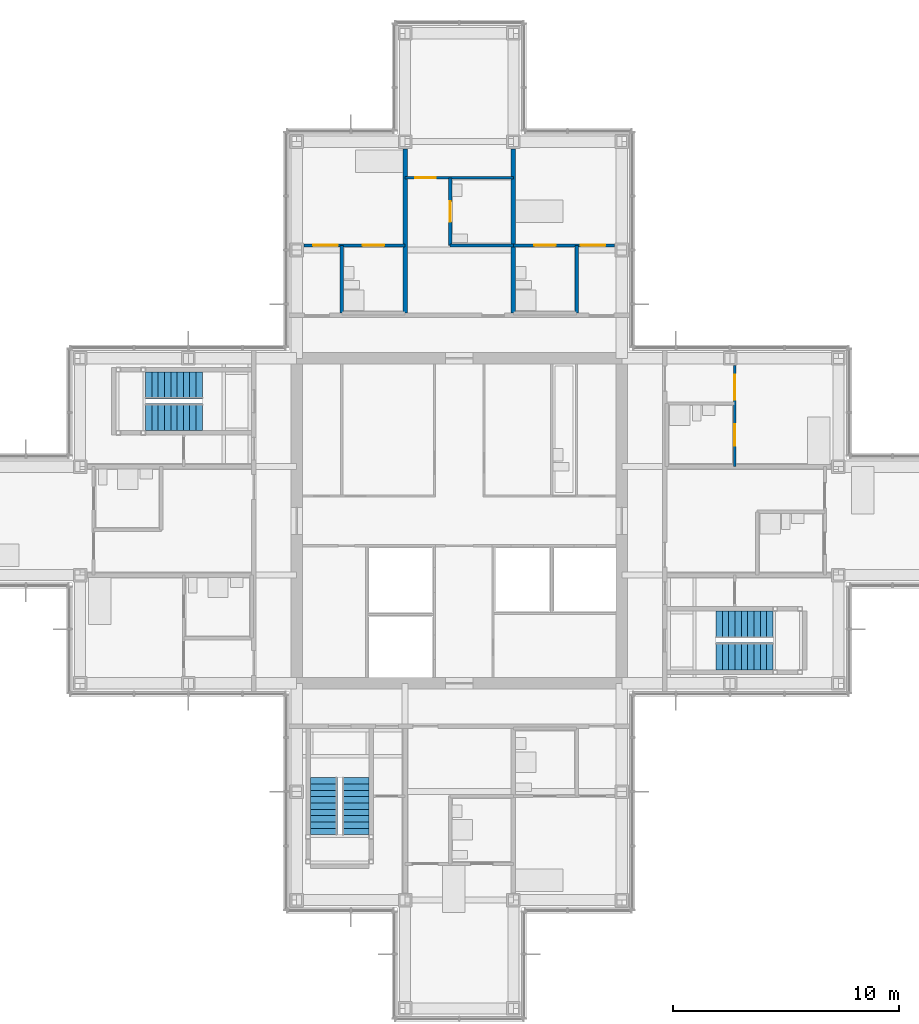
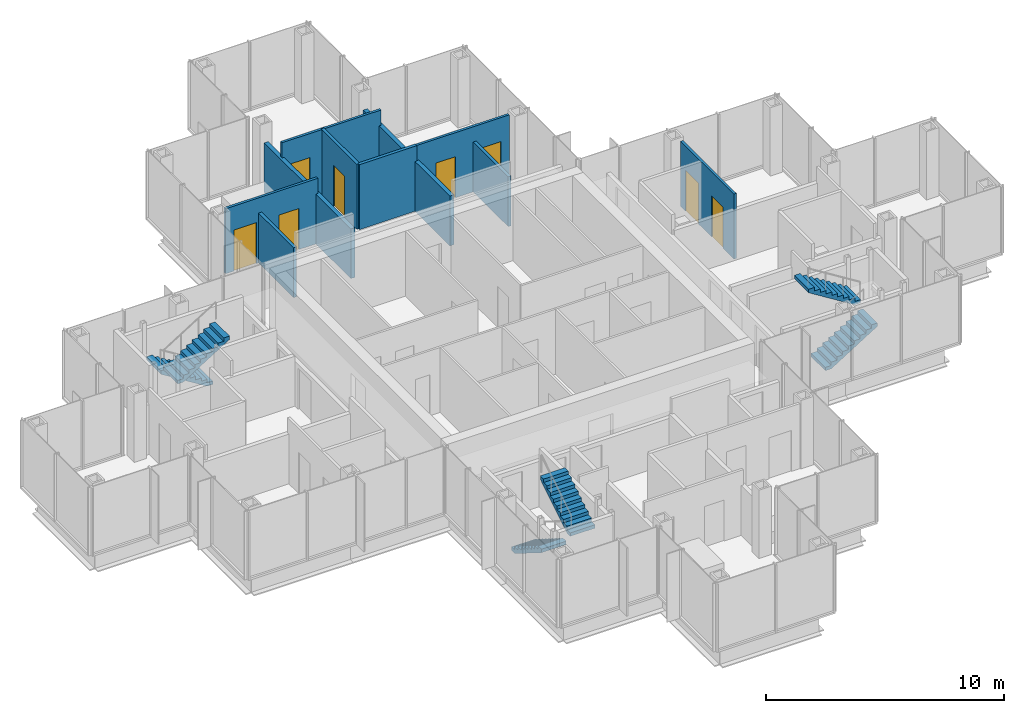
# One storey, part 14 of 17: 10 walls, 8 doors, 6 stair flights, 8 openings, 3 elements without a shape of their own.
"""IFC4 building model written with IfcOpenShell, lengths in metres."""

from ifc_helpers import new_model, si_unit, direction, frame, frame_2d, origin, place, context, subcontext, project, spatial, polyline, rectangle, outline, extrude, material, layer, layer_set, type_object, element, fill, aggregate, save


model = new_model("IFC4")

# Units and contexts
model_context = context("Model", 3, precision=1e-05, world=origin(), true_north=direction((0.0, 1.0)))
body_context = subcontext(model_context, "Body", "Model", "MODEL_VIEW")
ifc_project = project(units=[si_unit("LENGTHUNIT", "METRE"), si_unit("AREAUNIT", "SQUARE_METRE"), si_unit("VOLUMEUNIT", "CUBIC_METRE"), si_unit("PLANEANGLEUNIT", "RADIAN"), si_unit("MASSUNIT", "GRAM", prefix="KILO")], contexts=[model_context])

# Site, building, storey
site_placement = place(None, origin())
site = spatial("IfcSite", under=ifc_project, at=site_placement, CompositionType="ELEMENT")
building_placement = place(site_placement, origin())
building = spatial("IfcBuilding", under=site, at=building_placement, Name="Kvirike Care Tower", CompositionType="ELEMENT")
storey_placement = place(building_placement, frame((0.0, 0.0, 183.0)))
storey = spatial("IfcBuildingStorey", under=building, at=storey_placement, Name="L50", CompositionType="ELEMENT", Elevation=183.0)

# Wall
ifc_material_1 = material(Name="Moisture-resistant board partition", Category="gypsum")
ifc_layer_1 = layer(ifc_material_1, 0.14990234375)
ifc_layer_set_1 = layer_set([ifc_layer_1], Name="BATHROOM WALL 150")
wall_type_1 = type_object("IfcWallType", Name="BATHROOM WALL 150", PredefinedType="PARTITIONING", material=ifc_layer_set_1)
wall_1_placement = place(storey_placement, frame((26.800048828125, 48.199951171875, 0.0), z_axis=(0.0, 0.0, 1.0), x_axis=(0.0, -1.0, 0.0)))
element("IfcWall", 1, at=wall_1_placement, inside=storey, type_object=wall_type_1, Name="Bathroom Wall 150 L50", PredefinedType="PARTITIONING", context=body_context, shape_type="SweptSolid", body=[
    extrude(rectangle(XDim=3.0, YDim=0.14990234375, at=frame_2d((1.5, 0.0))), origin(), (0.0, 0.0, 1.0), 2.550048828125),
])

# Wall, opening, door
wall_2_placement = place(storey_placement, frame((21.199951171875, 51.199951171875, 0.0), z_axis=(0.0, 0.0, 1.0), x_axis=(0.0, -1.0, 0.0)))
wall_2 = element("IfcWall", 2, at=wall_2_placement, inside=storey, type_object=wall_type_1, Name="Bathroom Wall 150 L50", PredefinedType="PARTITIONING", context=body_context, shape_type="SweptSolid", body=[
    extrude(rectangle(XDim=3.0, YDim=0.14990234375, at=frame_2d((1.5, 0.0))), origin(), (0.0, 0.0, 1.0), 3.330078125),
])
opening_1_placement = place(wall_2_placement, frame((1.050048828125, 0.0, 0.0)))
opening_1 = element("IfcOpeningElement", 3, at=opening_1_placement, cuts=wall_2, Name="Opening 50-021", PredefinedType="OPENING", context=body_context, shape_type="SweptSolid", body=[
    extrude(rectangle(XDim=0.89990234375, YDim=2.10009765625, at=frame_2d((0.449951171875, 1.050048828125))), frame((0.0, 0.08544921875, 0.0), z_axis=(0.0, -1.0, 0.0), x_axis=(1.0, 0.0, 0.0)), (0.0, 0.0, 1.0), 0.1708984375),
])
ifc_material_2 = material(Name="Timber door set", Category="wood")
door_type_1 = type_object("IfcDoorType", Name="BATHROOM DOOR 900", OperationType="SINGLE_SWING_RIGHT", PredefinedType="DOOR", material=ifc_material_2)
door_1_placement = place(opening_1_placement, origin())
door_1 = element("IfcDoor", 4, at=door_1_placement, inside=storey, type_object=door_type_1, Name="Staff WC door", OperationType="SINGLE_SWING_LEFT", OverallHeight=2.10009765625, OverallWidth=0.89990234375, PredefinedType="DOOR", context=body_context, shape_type="SweptSolid", body=[
    extrude(rectangle(XDim=0.89990234375, YDim=2.10009765625, at=frame_2d((0.449951171875, 1.050048828125))), frame((0.0, 0.02197265625, 0.0), z_axis=(0.0, -1.0, 0.0), x_axis=(1.0, 0.0, 0.0)), (0.0, 0.0, 1.0), 0.0439453125),
])
fill(opening_1, door_1)

# Walls
wall_3_placement = place(storey_placement, frame((24.0, 48.199951171875, 0.0), z_axis=(0.0, 0.0, 1.0), x_axis=(-1.0, 0.0, 0.0)))
element("IfcWall", 5, at=wall_3_placement, inside=storey, type_object=wall_type_1, Name="Bathroom Wall 150 L50", PredefinedType="PARTITIONING", context=body_context, shape_type="SweptSolid", body=[
    extrude(rectangle(XDim=2.800048828125, YDim=0.14990234375, at=frame_2d((1.39990234375, 0.0))), origin(), (0.0, 0.0, 1.0), 3.330078125),
])
wall_4_placement = place(storey_placement, frame((16.39990234375, 48.199951171875, 0.0), z_axis=(0.0, 0.0, 1.0), x_axis=(0.0, -1.0, 0.0)))
element("IfcWall", 6, at=wall_4_placement, inside=storey, type_object=wall_type_1, Name="Bathroom Wall 150 L50", PredefinedType="PARTITIONING", context=body_context, shape_type="SweptSolid", body=[
    extrude(rectangle(XDim=3.0, YDim=0.14990234375, at=frame_2d((1.5, 0.0))), origin(), (0.0, 0.0, 1.0), 2.550048828125),
])

# Wall, openings, doors
ifc_material_3 = material(Name="Plasterboard partition", Category="gypsum")
ifc_layer_2 = layer(ifc_material_3, 0.1201171875)
ifc_layer_set_2 = layer_set([ifc_layer_2], Name="PARTITION 120")
wall_type_2 = type_object("IfcWallType", Name="PARTITION 120", PredefinedType="PARTITIONING", material=ifc_layer_set_2)
wall_5_placement = place(storey_placement, frame((28.47998046875, 48.199951171875, 0.0), z_axis=(0.0, 0.0, 1.0), x_axis=(-1.0, 0.0, 0.0)))
wall_5 = element("IfcWall", 7, at=wall_5_placement, inside=storey, type_object=wall_type_2, Name="Partition 120 L50", PredefinedType="PARTITIONING", context=body_context, shape_type="SweptSolid", body=[
    extrude(rectangle(XDim=4.47998046875, YDim=0.1201171875, at=frame_2d((2.239990234375, 0.0))), origin(), (0.0, 0.0, 1.0), 3.330078125),
])
opening_2_placement = place(wall_5_placement, frame((0.405029296875, 0.0, 0.0)))
opening_2 = element("IfcOpeningElement", 8, at=opening_2_placement, cuts=wall_5, Name="Opening 50-019", PredefinedType="OPENING", context=body_context, shape_type="SweptSolid", body=[
    extrude(rectangle(XDim=1.10009765625, YDim=2.10009765625, at=frame_2d((0.550048828125, 1.050048828125))), frame((0.0, 0.070556640625, 0.0), z_axis=(0.0, -1.0, 0.0), x_axis=(1.0, 0.0, 0.0)), (0.0, 0.0, 1.0), 0.14111328125),
])
opening_3_placement = place(wall_5_placement, frame((2.60498046875, 0.0, 0.0)))
opening_3 = element("IfcOpeningElement", 9, at=opening_3_placement, cuts=wall_5, Name="Opening 50-020", PredefinedType="OPENING", context=body_context, shape_type="SweptSolid", body=[
    extrude(rectangle(XDim=0.949951171875, YDim=2.10009765625, at=frame_2d((0.47509765625, 1.050048828125))), frame((0.0, 0.070556640625, 0.0), z_axis=(0.0, -1.0, 0.0), x_axis=(1.0, 0.0, 0.0)), (0.0, 0.0, 1.0), 0.14111328125),
])
ifc_material_4 = material(Name="Timber door set", Category="wood")
door_type_2 = type_object("IfcDoorType", Name="BEDROOM DOOR 1100", OperationType="SINGLE_SWING_LEFT", PredefinedType="DOOR", material=ifc_material_4)
door_2_placement = place(opening_2_placement, origin())
door_2 = element("IfcDoor", 10, at=door_2_placement, inside=storey, type_object=door_type_2, Name="Memory care bedroom door", OperationType="SINGLE_SWING_LEFT", OverallHeight=2.10009765625, OverallWidth=1.10009765625, PredefinedType="DOOR", context=body_context, shape_type="SweptSolid", body=[
    extrude(rectangle(XDim=1.10009765625, YDim=2.10009765625, at=frame_2d((0.550048828125, 1.050048828125))), frame((0.0, 0.02197265625, 0.0), z_axis=(0.0, -1.0, 0.0), x_axis=(1.0, 0.0, 0.0)), (0.0, 0.0, 1.0), 0.0439453125),
])
fill(opening_2, door_2)
ifc_material_5 = material(Name="Timber door set", Category="wood")
door_type_3 = type_object("IfcDoorType", Name="EN-SUITE SLIDING DOOR 950", OperationType="SLIDING_TO_LEFT", PredefinedType="DOOR", material=ifc_material_5)
door_3_placement = place(opening_3_placement, origin())
door_3 = element("IfcDoor", 11, at=door_3_placement, inside=storey, type_object=door_type_3, Name="En-suite door", OperationType="SLIDING_TO_LEFT", OverallHeight=2.10009765625, OverallWidth=0.949951171875, PredefinedType="DOOR", context=body_context, shape_type="SweptSolid", body=[
    extrude(rectangle(XDim=0.949951171875, YDim=2.10009765625, at=frame_2d((0.47509765625, 1.050048828125))), frame((0.0, 0.02197265625, 0.0), z_axis=(0.0, -1.0, 0.0), x_axis=(1.0, 0.0, 0.0)), (0.0, 0.0, 1.0), 0.0439453125),
])
fill(opening_3, door_3)

# Wall, opening, door
wall_6_placement = place(storey_placement, frame((24.0, 51.199951171875, 0.0), z_axis=(0.0, 0.0, 1.0), x_axis=(-1.0, 0.0, 0.0)))
wall_6 = element("IfcWall", 12, at=wall_6_placement, inside=storey, type_object=wall_type_2, Name="Partition 120 L50", PredefinedType="PARTITIONING", context=body_context, shape_type="SweptSolid", body=[
    extrude(rectangle(XDim=4.800048828125, YDim=0.1201171875, at=frame_2d((2.39990234375, 0.0))), origin(), (0.0, 0.0, 1.0), 3.330078125),
])
opening_4_placement = place(wall_6_placement, frame((3.449951171875, 0.0, 0.0)))
opening_4 = element("IfcOpeningElement", 13, at=opening_4_placement, cuts=wall_6, Name="Opening 50-022", PredefinedType="OPENING", context=body_context, shape_type="SweptSolid", body=[
    extrude(rectangle(XDim=0.89990234375, YDim=2.10009765625, at=frame_2d((0.449951171875, 1.050048828125))), frame((0.0, 0.070556640625, 0.0), z_axis=(0.0, -1.0, 0.0), x_axis=(1.0, 0.0, 0.0)), (0.0, 0.0, 1.0), 0.14111328125),
])
ifc_material_6 = material(Name="Timber door set", Category="wood")
door_type_4 = type_object("IfcDoorType", Name="INTERNAL DOOR 900", OperationType="SINGLE_SWING_LEFT", PredefinedType="DOOR", material=ifc_material_6)
door_4_placement = place(opening_4_placement, origin())
door_4 = element("IfcDoor", 14, at=door_4_placement, inside=storey, type_object=door_type_4, Name="Sensory garden room door", OperationType="SINGLE_SWING_LEFT", OverallHeight=2.10009765625, OverallWidth=0.89990234375, PredefinedType="DOOR", context=body_context, shape_type="SweptSolid", body=[
    extrude(rectangle(XDim=0.89990234375, YDim=2.10009765625, at=frame_2d((0.449951171875, 1.050048828125))), frame((0.0, 0.02197265625, 0.0), z_axis=(0.0, -1.0, 0.0), x_axis=(1.0, 0.0, 0.0)), (0.0, 0.0, 1.0), 0.0439453125),
])
fill(opening_4, door_4)

# Wall, openings, doors
wall_7_placement = place(storey_placement, frame((19.199951171875, 48.199951171875, 0.0), z_axis=(0.0, 0.0, 1.0), x_axis=(-1.0, 0.0, 0.0)))
wall_7 = element("IfcWall", 15, at=wall_7_placement, inside=storey, type_object=wall_type_2, Name="Partition 120 L50", PredefinedType="PARTITIONING", context=body_context, shape_type="SweptSolid", body=[
    extrude(rectangle(XDim=4.47998046875, YDim=0.1201171875, at=frame_2d((2.239990234375, 0.0))), origin(), (0.0, 0.0, 1.0), 3.330078125),
])
opening_5_placement = place(wall_7_placement, frame((2.97509765625, 0.0, 0.0)))
opening_5 = element("IfcOpeningElement", 16, at=opening_5_placement, cuts=wall_7, Name="Opening 50-023", PredefinedType="OPENING", context=body_context, shape_type="SweptSolid", body=[
    extrude(rectangle(XDim=1.10009765625, YDim=2.10009765625, at=frame_2d((0.550048828125, 1.050048828125))), frame((0.0, 0.070556640625, 0.0), z_axis=(0.0, -1.0, 0.0), x_axis=(1.0, 0.0, 0.0)), (0.0, 0.0, 1.0), 0.14111328125),
])
opening_6_placement = place(wall_7_placement, frame((0.925048828125, 0.0, 0.0)))
opening_6 = element("IfcOpeningElement", 17, at=opening_6_placement, cuts=wall_7, Name="Opening 50-024", PredefinedType="OPENING", context=body_context, shape_type="SweptSolid", body=[
    extrude(rectangle(XDim=0.949951171875, YDim=2.10009765625, at=frame_2d((0.47509765625, 1.050048828125))), frame((0.0, 0.070556640625, 0.0), z_axis=(0.0, -1.0, 0.0), x_axis=(1.0, 0.0, 0.0)), (0.0, 0.0, 1.0), 0.14111328125),
])
door_5_placement = place(opening_5_placement, origin())
door_5 = element("IfcDoor", 18, at=door_5_placement, inside=storey, type_object=door_type_2, Name="Memory care bedroom door", OperationType="SINGLE_SWING_RIGHT", OverallHeight=2.10009765625, OverallWidth=1.10009765625, PredefinedType="DOOR", context=body_context, shape_type="SweptSolid", body=[
    extrude(rectangle(XDim=1.10009765625, YDim=2.10009765625, at=frame_2d((0.550048828125, 1.050048828125))), frame((0.0, 0.02197265625, 0.0), z_axis=(0.0, -1.0, 0.0), x_axis=(1.0, 0.0, 0.0)), (0.0, 0.0, 1.0), 0.0439453125),
])
fill(opening_5, door_5)
door_6_placement = place(opening_6_placement, origin())
door_6 = element("IfcDoor", 19, at=door_6_placement, inside=storey, type_object=door_type_3, Name="En-suite door", OperationType="SLIDING_TO_RIGHT", OverallHeight=2.10009765625, OverallWidth=0.949951171875, PredefinedType="DOOR", context=body_context, shape_type="SweptSolid", body=[
    extrude(rectangle(XDim=0.949951171875, YDim=2.10009765625, at=frame_2d((0.47509765625, 1.050048828125))), frame((0.0, 0.02197265625, 0.0), z_axis=(0.0, -1.0, 0.0), x_axis=(1.0, 0.0, 0.0)), (0.0, 0.0, 1.0), 0.0439453125),
])
fill(opening_6, door_6)

wall_8_placement = place(storey_placement, frame((33.800048828125, 38.39990234375, 0.0), z_axis=(0.0, 0.0, 1.0), x_axis=(0.0, 1.0, 0.0)))
wall_8 = element("IfcWall", 20, at=wall_8_placement, inside=storey, type_object=wall_type_2, Name="Partition 120 L50", PredefinedType="PARTITIONING", context=body_context, shape_type="SweptSolid", body=[
    extrude(rectangle(XDim=4.47998046875, YDim=0.1201171875, at=frame_2d((2.239990234375, 0.0))), origin(), (0.0, 0.0, 1.0), 3.330078125),
])
opening_7_placement = place(wall_8_placement, frame((2.97509765625, 0.0, 0.0)))
opening_7 = element("IfcOpeningElement", 21, at=opening_7_placement, cuts=wall_8, Name="Opening 50-031", PredefinedType="OPENING", context=body_context, shape_type="SweptSolid", body=[
    extrude(rectangle(XDim=1.10009765625, YDim=2.10009765625, at=frame_2d((0.550048828125, 1.050048828125))), frame((0.0, 0.070556640625, 0.0), z_axis=(0.0, -1.0, 0.0), x_axis=(1.0, 0.0, 0.0)), (0.0, 0.0, 1.0), 0.14111328125),
])
opening_8_placement = place(wall_8_placement, frame((0.925048828125, 0.0, 0.0)))
opening_8 = element("IfcOpeningElement", 22, at=opening_8_placement, cuts=wall_8, Name="Opening 50-032", PredefinedType="OPENING", context=body_context, shape_type="SweptSolid", body=[
    extrude(rectangle(XDim=0.949951171875, YDim=2.10009765625, at=frame_2d((0.47509765625, 1.050048828125))), frame((0.0, 0.070556640625, 0.0), z_axis=(0.0, -1.0, 0.0), x_axis=(1.0, 0.0, 0.0)), (0.0, 0.0, 1.0), 0.14111328125),
])
door_7_placement = place(opening_7_placement, origin())
door_7 = element("IfcDoor", 23, at=door_7_placement, inside=storey, type_object=door_type_2, Name="Memory care bedroom door", OperationType="SINGLE_SWING_RIGHT", OverallHeight=2.10009765625, OverallWidth=1.10009765625, PredefinedType="DOOR", context=body_context, shape_type="SweptSolid", body=[
    extrude(rectangle(XDim=1.10009765625, YDim=2.10009765625, at=frame_2d((0.550048828125, 1.050048828125))), frame((0.0, 0.02197265625, 0.0), z_axis=(0.0, -1.0, 0.0), x_axis=(1.0, 0.0, 0.0)), (0.0, 0.0, 1.0), 0.0439453125),
])
fill(opening_7, door_7)
door_8_placement = place(opening_8_placement, origin())
door_8 = element("IfcDoor", 24, at=door_8_placement, inside=storey, type_object=door_type_3, Name="En-suite door", OperationType="SLIDING_TO_RIGHT", OverallHeight=2.10009765625, OverallWidth=0.949951171875, PredefinedType="DOOR", context=body_context, shape_type="SweptSolid", body=[
    extrude(rectangle(XDim=0.949951171875, YDim=2.10009765625, at=frame_2d((0.47509765625, 1.050048828125))), frame((0.0, 0.02197265625, 0.0), z_axis=(0.0, -1.0, 0.0), x_axis=(1.0, 0.0, 0.0)), (0.0, 0.0, 1.0), 0.0439453125),
])
fill(opening_8, door_8)

# Walls
ifc_material_7 = material(Name="Plasterboard party wall", Category="gypsum")
ifc_layer_3 = layer(ifc_material_7, 0.199951171875)
ifc_layer_set_3 = layer_set([ifc_layer_3], Name="PARTY WALL 200")
wall_type_3 = type_object("IfcWallType", Name="PARTY WALL 200", PredefinedType="PARTITIONING", material=ifc_layer_set_3)
for number, where, z_axis, x_axis, name in (
    (25, (24.0, 52.47998046875, 0.0), (0.0, 0.0, 1.0), (0.0, -1.0, 0.0), "Party Wall 200 L50"),
    (26, (19.199951171875, 52.47998046875, 0.0), (0.0, 0.0, 1.0), (0.0, -1.0, 0.0), "Party Wall 200 L50"),
):
    element("IfcWall", number, at=place(storey_placement, frame(where, z_axis=z_axis, x_axis=x_axis)), inside=storey, type_object=wall_type_3, Name=name, PredefinedType="PARTITIONING", context=body_context, shape_type="SweptSolid", body=[
        extrude(rectangle(XDim=7.280029296875, YDim=0.199951171875, at=frame_2d((3.64013671875, 0.0))), origin(), (0.0, 0.0, 1.0), 2.550048828125),
    ])

# Stair, stair flights
ifc_material_8 = material(Name="Concrete C35/45", Category="concrete")
stair_type = type_object("IfcStairType", Name="STAIR 20 RISERS", PredefinedType="HALF_TURN_STAIR", material=ifc_material_8)
stair_1_placement = place(storey_placement, origin())
stair_1 = element("IfcStair", 27, at=stair_1_placement, inside=storey, type_object=stair_type, Name="Stair 1 L50", PredefinedType="HALF_TURN_STAIR")
ifc_material_9 = material(Name="Concrete C35/45", Category="concrete")
stair_flight_type = type_object("IfcStairFlightType", Name="FLIGHT 10 RISERS", PredefinedType="STRAIGHT", material=ifc_material_9)
stair_flight_1_placement = place(storey_placement, frame((10.219970703125, 42.0, 0.0), z_axis=(0.0, 0.0, 1.0), x_axis=(-1.0, 0.0, 0.0)))
stair_flight_1 = element("IfcStairFlight", 28, at=stair_flight_1_placement, type_object=stair_flight_type, Name="Stair S1 flight 1 L50-L51", NumberOfRisers=10, NumberOfTreads=9, PredefinedType="STRAIGHT", RiserHeight=0.175, TreadLength=0.28, context=body_context, shape_type="SweptSolid", body=[
    extrude(outline(polyline([(0.0, 0.0), (0.0, 0.175048828125), (0.280029296875, 0.175048828125), (0.280029296875, 0.35009765625), (0.56005859375, 0.35009765625), (0.56005859375, 0.52490234375), (0.840087890625, 0.52490234375), (0.840087890625, 0.699951171875), (1.1201171875, 0.699951171875), (1.1201171875, 0.875), (1.39990234375, 0.875), (1.39990234375, 1.050048828125), (1.679931640625, 1.050048828125), (1.679931640625, 1.22509765625), (1.9599609375, 1.22509765625), (1.9599609375, 1.39990234375), (2.239990234375, 1.39990234375), (2.239990234375, 1.574951171875), (2.52001953125, 1.574951171875), (2.52001953125, 1.75), (2.52001953125, 1.398193359375), (0.28271484375, 0.0), (0.0, 0.0)])), frame((0.0, 0.60009765625, 0.0), z_axis=(0.0, -1.0, 0.0), x_axis=(1.0, 0.0, 0.0)), (0.0, 0.0, 1.0), 1.199951171875),
])
stair_flight_2_placement = place(storey_placement, frame((7.699951171875, 40.60009765625, 1.75), z_axis=(0.0, 0.0, 1.0), x_axis=(1.0, 0.0, 0.0)))
stair_flight_2 = element("IfcStairFlight", 29, at=stair_flight_2_placement, type_object=stair_flight_type, Name="Stair S1 flight 2 L50-L51", NumberOfRisers=10, NumberOfTreads=9, PredefinedType="STRAIGHT", RiserHeight=0.175, TreadLength=0.28, context=body_context, shape_type="SweptSolid", body=[
    extrude(outline(polyline([(0.0, 0.0), (0.0, 0.175048828125), (0.280029296875, 0.175048828125), (0.280029296875, 0.35009765625), (0.56005859375, 0.35009765625), (0.56005859375, 0.52490234375), (0.840087890625, 0.52490234375), (0.840087890625, 0.699951171875), (1.1201171875, 0.699951171875), (1.1201171875, 0.875), (1.39990234375, 0.875), (1.39990234375, 1.050048828125), (1.679931640625, 1.050048828125), (1.679931640625, 1.22509765625), (1.9599609375, 1.22509765625), (1.9599609375, 1.39990234375), (2.239990234375, 1.39990234375), (2.239990234375, 1.574951171875), (2.52001953125, 1.574951171875), (2.52001953125, 1.75), (2.52001953125, 1.398193359375), (0.28271484375, 0.0), (0.0, 0.0)])), frame((0.0, 0.60009765625, 0.0), z_axis=(0.0, -1.0, 0.0), x_axis=(1.0, 0.0, 0.0)), (0.0, 0.0, 1.0), 1.199951171875),
])
aggregate(stair_1, [stair_flight_1, stair_flight_2])

stair_2_placement = place(storey_placement, origin())
stair_2 = element("IfcStair", 30, at=stair_2_placement, inside=storey, type_object=stair_type, Name="Stair 2 L50", PredefinedType="HALF_TURN_STAIR")
stair_flight_3_placement = place(storey_placement, frame((32.97998046875, 30.0, 0.0), z_axis=(0.0, 0.0, 1.0), x_axis=(1.0, 0.0, 0.0)))
stair_flight_3 = element("IfcStairFlight", 31, at=stair_flight_3_placement, type_object=stair_flight_type, Name="Stair S2 flight 1 L50-L51", NumberOfRisers=10, NumberOfTreads=9, PredefinedType="STRAIGHT", RiserHeight=0.175, TreadLength=0.28, context=body_context, shape_type="SweptSolid", body=[
    extrude(outline(polyline([(0.0, 0.0), (0.0, 0.175048828125), (0.280029296875, 0.175048828125), (0.280029296875, 0.35009765625), (0.56005859375, 0.35009765625), (0.56005859375, 0.52490234375), (0.840087890625, 0.52490234375), (0.840087890625, 0.699951171875), (1.1201171875, 0.699951171875), (1.1201171875, 0.875), (1.39990234375, 0.875), (1.39990234375, 1.050048828125), (1.679931640625, 1.050048828125), (1.679931640625, 1.22509765625), (1.9599609375, 1.22509765625), (1.9599609375, 1.39990234375), (2.239990234375, 1.39990234375), (2.239990234375, 1.574951171875), (2.52001953125, 1.574951171875), (2.52001953125, 1.75), (2.52001953125, 1.398193359375), (0.28271484375, 0.0), (0.0, 0.0)])), frame((0.0, 0.60009765625, 0.0), z_axis=(0.0, -1.0, 0.0), x_axis=(1.0, 0.0, 0.0)), (0.0, 0.0, 1.0), 1.199951171875),
])
stair_flight_4_placement = place(storey_placement, frame((35.5, 31.39990234375, 1.75), z_axis=(0.0, 0.0, 1.0), x_axis=(-1.0, 0.0, 0.0)))
stair_flight_4 = element("IfcStairFlight", 32, at=stair_flight_4_placement, type_object=stair_flight_type, Name="Stair S2 flight 2 L50-L51", NumberOfRisers=10, NumberOfTreads=9, PredefinedType="STRAIGHT", RiserHeight=0.175, TreadLength=0.28, context=body_context, shape_type="SweptSolid", body=[
    extrude(outline(polyline([(0.0, 0.0), (0.0, 0.175048828125), (0.280029296875, 0.175048828125), (0.280029296875, 0.35009765625), (0.56005859375, 0.35009765625), (0.56005859375, 0.52490234375), (0.840087890625, 0.52490234375), (0.840087890625, 0.699951171875), (1.1201171875, 0.699951171875), (1.1201171875, 0.875), (1.39990234375, 0.875), (1.39990234375, 1.050048828125), (1.679931640625, 1.050048828125), (1.679931640625, 1.22509765625), (1.9599609375, 1.22509765625), (1.9599609375, 1.39990234375), (2.239990234375, 1.39990234375), (2.239990234375, 1.574951171875), (2.52001953125, 1.574951171875), (2.52001953125, 1.75), (2.52001953125, 1.398193359375), (0.28271484375, 0.0), (0.0, 0.0)])), frame((0.0, 0.60009765625, 0.0), z_axis=(0.0, -1.0, 0.0), x_axis=(1.0, 0.0, 0.0)), (0.0, 0.0, 1.0), 1.199951171875),
])
aggregate(stair_2, [stair_flight_3, stair_flight_4])

stair_3_placement = place(storey_placement, origin())
stair_3 = element("IfcStair", 33, at=stair_3_placement, inside=storey, type_object=stair_type, Name="Stair 5 L50", PredefinedType="HALF_TURN_STAIR")
stair_flight_5_placement = place(storey_placement, frame((15.60009765625, 24.6201171875, 0.0), z_axis=(0.0, 0.0, 1.0), x_axis=(0.0, -1.0, 0.0)))
stair_flight_5 = element("IfcStairFlight", 34, at=stair_flight_5_placement, type_object=stair_flight_type, Name="Stair S5 flight 1 L50-L51", NumberOfRisers=10, NumberOfTreads=9, PredefinedType="STRAIGHT", RiserHeight=0.175, TreadLength=0.28, context=body_context, shape_type="SweptSolid", body=[
    extrude(outline(polyline([(0.0, 0.0), (0.0, 0.175048828125), (0.280029296875, 0.175048828125), (0.280029296875, 0.35009765625), (0.56005859375, 0.35009765625), (0.56005859375, 0.52490234375), (0.840087890625, 0.52490234375), (0.840087890625, 0.699951171875), (1.1201171875, 0.699951171875), (1.1201171875, 0.875), (1.39990234375, 0.875), (1.39990234375, 1.050048828125), (1.679931640625, 1.050048828125), (1.679931640625, 1.22509765625), (1.9599609375, 1.22509765625), (1.9599609375, 1.39990234375), (2.239990234375, 1.39990234375), (2.239990234375, 1.574951171875), (2.52001953125, 1.574951171875), (2.52001953125, 1.75), (2.52001953125, 1.398193359375), (0.28271484375, 0.0), (0.0, 0.0)])), frame((0.0, 0.60009765625, 0.0), z_axis=(0.0, -1.0, 0.0), x_axis=(1.0, 0.0, 0.0)), (0.0, 0.0, 1.0), 1.199951171875),
])
stair_flight_6_placement = place(storey_placement, frame((17.0, 22.10009765625, 1.75), z_axis=(0.0, 0.0, 1.0), x_axis=(0.0, 1.0, 0.0)))
stair_flight_6 = element("IfcStairFlight", 35, at=stair_flight_6_placement, type_object=stair_flight_type, Name="Stair S5 flight 2 L50-L51", NumberOfRisers=10, NumberOfTreads=9, PredefinedType="STRAIGHT", RiserHeight=0.175, TreadLength=0.28, context=body_context, shape_type="SweptSolid", body=[
    extrude(outline(polyline([(0.0, 0.0), (0.0, 0.175048828125), (0.280029296875, 0.175048828125), (0.280029296875, 0.35009765625), (0.56005859375, 0.35009765625), (0.56005859375, 0.52490234375), (0.840087890625, 0.52490234375), (0.840087890625, 0.699951171875), (1.1201171875, 0.699951171875), (1.1201171875, 0.875), (1.39990234375, 0.875), (1.39990234375, 1.050048828125), (1.679931640625, 1.050048828125), (1.679931640625, 1.22509765625), (1.9599609375, 1.22509765625), (1.9599609375, 1.39990234375), (2.239990234375, 1.39990234375), (2.239990234375, 1.574951171875), (2.52001953125, 1.574951171875), (2.52001953125, 1.75), (2.52001953125, 1.398193359375), (0.28271484375, 0.0), (0.0, 0.0)])), frame((0.0, 0.60009765625, 0.0), z_axis=(0.0, -1.0, 0.0), x_axis=(1.0, 0.0, 0.0)), (0.0, 0.0, 1.0), 1.199951171875),
])
aggregate(stair_3, [stair_flight_5, stair_flight_6])

save(model, "model.ifc")
